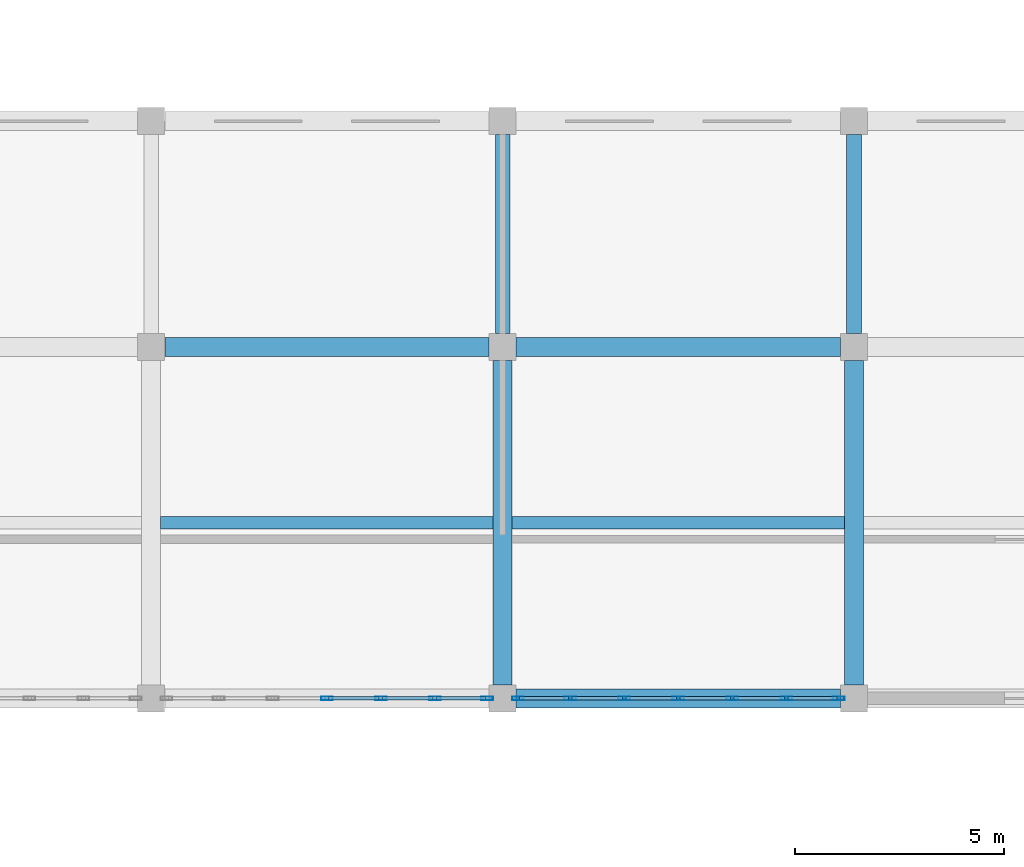
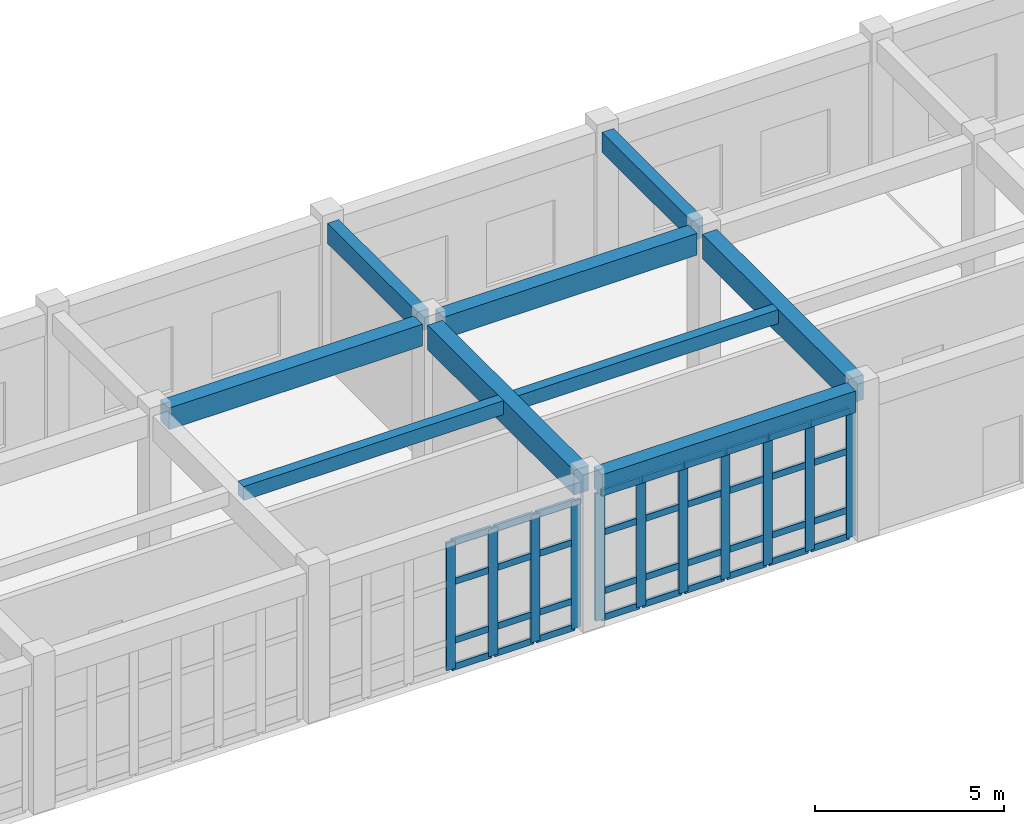
# One storey, part 39 of 80: 47 members, 9 beams, 2 elements without a shape of their own.
"""IFC4 building model written with IfcOpenShell, lengths in metres."""

from ifc_helpers import new_model, si_unit, direction, frame, origin, origin_2d, place, context, subcontext, project, spatial, rectangle, hollow_rectangle, extrude, material, layer, layer_set, material_profile, profile_set, type_object, element, aggregate, save


model = new_model("IFC4")

# Units and contexts
model_context = context("Model", 3, precision=1e-05, world=origin(), true_north=direction((0.0, 1.0)))
body_context = subcontext(model_context, "Body", "Model", "MODEL_VIEW")
ifc_project = project(units=[si_unit("LENGTHUNIT", "METRE"), si_unit("AREAUNIT", "SQUARE_METRE"), si_unit("VOLUMEUNIT", "CUBIC_METRE"), si_unit("PLANEANGLEUNIT", "RADIAN"), si_unit("MASSUNIT", "GRAM", prefix="KILO")], contexts=[model_context])

# Site, building, storey
site_placement = place(None, origin())
site = spatial("IfcSite", under=ifc_project, at=site_placement, CompositionType="ELEMENT")
building_placement = place(site_placement, origin())
building = spatial("IfcBuilding", under=site, at=building_placement, Name="Krzemoval Escarpment Law Courts", CompositionType="ELEMENT")
storey_placement = place(building_placement, origin())
storey = spatial("IfcBuildingStorey", under=building, at=storey_placement, Name="L00", CompositionType="ELEMENT", Elevation=0.0)

# Beams
ifc_material_1 = material(Name="Concrete C40/50", Category="concrete")
ifc_material_profile_1 = material_profile(ifc_material_1, rectangle(XDim=0.35009765625, YDim=0.64990234375, at=origin_2d()), Name="RCB 350x650")
ifc_profile_set_1 = profile_set([ifc_material_profile_1], Name="Concrete C40/50")
beam_type_1 = type_object("IfcBeamType", Name="BM-RC-350x650", PredefinedType="BEAM", material=ifc_profile_set_1)
for number, where, z_axis, x_axis, name in (
    (1, (100.800048828125, 108.324951171875, 4.4951171875), (0.0, 1.0, 0.0), (-1.0, 0.0, 0.0), "Beam FG-L00-0935"),
    (2, (109.199951171875, 108.324951171875, 4.4951171875), (0.0, 1.0, 0.0), (-1.0, 0.0, 0.0), "Beam FG-L00-0942"),
):
    element("IfcBeam", number, at=place(storey_placement, frame(where, z_axis=z_axis, x_axis=x_axis)), inside=storey, type_object=beam_type_1, Name=name, PredefinedType="BEAM", context=body_context, shape_type="SweptSolid", body=[
        extrude(rectangle(XDim=0.35009765625, YDim=0.64990234375, at=origin_2d()), origin(), (0.0, 0.0, 1.0), 4.75),
    ])
ifc_material_2 = material(Name="Concrete C40/50", Category="concrete")
ifc_material_profile_2 = material_profile(ifc_material_2, rectangle(XDim=0.449951171875, YDim=0.699951171875, at=origin_2d()), Name="RCB 450x700")
ifc_profile_set_2 = profile_set([ifc_material_profile_2], Name="Concrete C40/50")
beam_type_2 = type_object("IfcBeamType", Name="BM-RC-450x700", PredefinedType="BEAM", material=ifc_profile_set_2)
for number, where, z_axis, x_axis, name in (
    (3, (101.125, 99.60009765625, 4.469970703125), (1.0, 0.0, 0.0), (0.0, 1.0, 0.0), "Beam FG-L00-0753"),
    (4, (92.72509765625, 108.0, 4.469970703125), (1.0, 0.0, 0.0), (0.0, 1.0, 0.0), "Beam FG-L00-0771"),
    (5, (101.125, 108.0, 4.469970703125), (1.0, 0.0, 0.0), (0.0, 1.0, 0.0), "Beam FG-L00-0772"),
):
    element("IfcBeam", number, at=place(storey_placement, frame(where, z_axis=z_axis, x_axis=x_axis)), inside=storey, type_object=beam_type_2, Name=name, PredefinedType="BEAM", context=body_context, shape_type="SweptSolid", body=[
        extrude(rectangle(XDim=0.449951171875, YDim=0.699951171875, at=origin_2d()), origin(), (0.0, 0.0, 1.0), 7.75),
    ])
ifc_material_3 = material(Name="Concrete C40/50", Category="concrete")
ifc_material_profile_3 = material_profile(ifc_material_3, rectangle(XDim=0.449951171875, YDim=0.800048828125, at=origin_2d()), Name="RCB 450x800")
ifc_profile_set_3 = profile_set([ifc_material_profile_3], Name="Concrete C40/50")
beam_type_3 = type_object("IfcBeamType", Name="BM-RC-450x800", PredefinedType="BEAM", material=ifc_profile_set_3)
for number, where, z_axis, x_axis, name in (
    (6, (100.800048828125, 99.925048828125, 4.419921875), (0.0, 1.0, 0.0), (-1.0, 0.0, 0.0), "Beam FG-L00-0934"),
    (7, (109.199951171875, 99.925048828125, 4.419921875), (0.0, 1.0, 0.0), (-1.0, 0.0, 0.0), "Beam FG-L00-0941"),
):
    element("IfcBeam", number, at=place(storey_placement, frame(where, z_axis=z_axis, x_axis=x_axis)), inside=storey, type_object=beam_type_3, Name=name, PredefinedType="BEAM", context=body_context, shape_type="SweptSolid", body=[
        extrude(rectangle(XDim=0.449951171875, YDim=0.800048828125, at=origin_2d()), origin(), (0.0, 0.0, 1.0), 7.75),
    ])

# Curtain wall, members
ifc_material_4 = material(Name="Aluminium 6063-T6", Category="aluminium")
ifc_layer = layer(ifc_material_4, 0.280029296875)
ifc_layer_set = layer_set([ifc_layer], Name="Aluminium 6063-T6")
curtain_wall_type = type_object("IfcCurtainWallType", Name="CW-HALL-5100", PredefinedType="USERDEFINED", material=ifc_layer_set)
curtain_wall_1_placement = place(storey_placement, origin())
curtain_wall_1 = element("IfcCurtainWall", 8, at=curtain_wall_1_placement, inside=storey, type_object=curtain_wall_type, Name="Unitised Curtain Wall FCW-L00-007", ObjectType="UNITISED_CURTAIN_WALL", PredefinedType="USERDEFINED")
ifc_material_5 = material(Name="Aluminium 6063-T6", Category="aluminium")
ifc_material_profile_4 = material_profile(ifc_material_5, hollow_rectangle(XDim=0.0849609375, YDim=0.280029296875, WallThickness=0.005615234375, at=origin_2d()), Name="ALU M85x280")
ifc_profile_set_4 = profile_set([ifc_material_profile_4], Name="Aluminium 6063-T6")
member_type_1 = type_object("IfcMemberType", Name="CWM-85x280", PredefinedType="MULLION", material=ifc_profile_set_4)
member_1_placement = place(storey_placement, frame((108.83251953125, 99.60009765625, 0.0), z_axis=(0.0, 0.0, 1.0), x_axis=(0.0, -1.0, 0.0)))
member_1 = element("IfcMember", 9, at=member_1_placement, type_object=member_type_1, Name="FCW-L00-007 mullion 1", PredefinedType="MULLION", context=body_context, shape_type="SweptSolid", body=[
    extrude(hollow_rectangle(XDim=0.0849609375, YDim=0.280029296875, WallThickness=0.005615234375, at=origin_2d()), origin(), (0.0, 0.0, 1.0), 4.1201171875),
])
member_2_placement = place(storey_placement, frame((107.583251953125, 99.60009765625, 0.0), z_axis=(0.0, 0.0, 1.0), x_axis=(0.0, -1.0, 0.0)))
member_2 = element("IfcMember", 10, at=member_2_placement, type_object=member_type_1, Name="FCW-L00-007 mullion 2", PredefinedType="MULLION", context=body_context, shape_type="SweptSolid", body=[
    extrude(hollow_rectangle(XDim=0.0849609375, YDim=0.280029296875, WallThickness=0.005615234375, at=origin_2d()), origin(), (0.0, 0.0, 1.0), 4.1201171875),
])
member_3_placement = place(storey_placement, frame((106.291748046875, 99.60009765625, 0.0), z_axis=(0.0, 0.0, 1.0), x_axis=(0.0, -1.0, 0.0)))
member_3 = element("IfcMember", 11, at=member_3_placement, type_object=member_type_1, Name="FCW-L00-007 mullion 3", PredefinedType="MULLION", context=body_context, shape_type="SweptSolid", body=[
    extrude(hollow_rectangle(XDim=0.0849609375, YDim=0.280029296875, WallThickness=0.005615234375, at=origin_2d()), origin(), (0.0, 0.0, 1.0), 4.1201171875),
])
member_4_placement = place(storey_placement, frame((105.0, 99.60009765625, 0.0), z_axis=(0.0, 0.0, 1.0), x_axis=(0.0, -1.0, 0.0)))
member_4 = element("IfcMember", 12, at=member_4_placement, type_object=member_type_1, Name="FCW-L00-007 mullion 4", PredefinedType="MULLION", context=body_context, shape_type="SweptSolid", body=[
    extrude(hollow_rectangle(XDim=0.0849609375, YDim=0.280029296875, WallThickness=0.005615234375, at=origin_2d()), origin(), (0.0, 0.0, 1.0), 4.1201171875),
])
member_5_placement = place(storey_placement, frame((103.708251953125, 99.60009765625, 0.0), z_axis=(0.0, 0.0, 1.0), x_axis=(0.0, -1.0, 0.0)))
member_5 = element("IfcMember", 13, at=member_5_placement, type_object=member_type_1, Name="FCW-L00-007 mullion 5", PredefinedType="MULLION", context=body_context, shape_type="SweptSolid", body=[
    extrude(hollow_rectangle(XDim=0.0849609375, YDim=0.280029296875, WallThickness=0.005615234375, at=origin_2d()), origin(), (0.0, 0.0, 1.0), 4.1201171875),
])
member_6_placement = place(storey_placement, frame((102.416748046875, 99.60009765625, 0.0), z_axis=(0.0, 0.0, 1.0), x_axis=(0.0, -1.0, 0.0)))
member_6 = element("IfcMember", 14, at=member_6_placement, type_object=member_type_1, Name="FCW-L00-007 mullion 6", PredefinedType="MULLION", context=body_context, shape_type="SweptSolid", body=[
    extrude(hollow_rectangle(XDim=0.0849609375, YDim=0.280029296875, WallThickness=0.005615234375, at=origin_2d()), origin(), (0.0, 0.0, 1.0), 4.1201171875),
])
member_7_placement = place(storey_placement, frame((101.16748046875, 99.60009765625, 0.0), z_axis=(0.0, 0.0, 1.0), x_axis=(0.0, -1.0, 0.0)))
member_7 = element("IfcMember", 15, at=member_7_placement, type_object=member_type_1, Name="FCW-L00-007 mullion 7", PredefinedType="MULLION", context=body_context, shape_type="SweptSolid", body=[
    extrude(hollow_rectangle(XDim=0.0849609375, YDim=0.280029296875, WallThickness=0.005615234375, at=origin_2d()), origin(), (0.0, 0.0, 1.0), 4.1201171875),
])

curtain_wall_2_placement = place(storey_placement, origin())
curtain_wall_2 = element("IfcCurtainWall", 16, at=curtain_wall_2_placement, inside=storey, type_object=curtain_wall_type, Name="Unitised Curtain Wall FCW-L00-008", ObjectType="UNITISED_CURTAIN_WALL", PredefinedType="USERDEFINED")
member_8_placement = place(storey_placement, frame((100.4326171875, 99.60009765625, 0.0), z_axis=(0.0, 0.0, 1.0), x_axis=(0.0, -1.0, 0.0)))
member_8 = element("IfcMember", 17, at=member_8_placement, type_object=member_type_1, Name="FCW-L00-008 mullion 1", PredefinedType="MULLION", context=body_context, shape_type="SweptSolid", body=[
    extrude(hollow_rectangle(XDim=0.0849609375, YDim=0.280029296875, WallThickness=0.005615234375, at=origin_2d()), origin(), (0.0, 0.0, 1.0), 4.1201171875),
])
member_9_placement = place(storey_placement, frame((99.183349609375, 99.60009765625, 0.0), z_axis=(0.0, 0.0, 1.0), x_axis=(0.0, -1.0, 0.0)))
member_9 = element("IfcMember", 18, at=member_9_placement, type_object=member_type_1, Name="FCW-L00-008 mullion 2", PredefinedType="MULLION", context=body_context, shape_type="SweptSolid", body=[
    extrude(hollow_rectangle(XDim=0.0849609375, YDim=0.280029296875, WallThickness=0.005615234375, at=origin_2d()), origin(), (0.0, 0.0, 1.0), 4.1201171875),
])
member_10_placement = place(storey_placement, frame((97.8916015625, 99.60009765625, 0.0), z_axis=(0.0, 0.0, 1.0), x_axis=(0.0, -1.0, 0.0)))
member_10 = element("IfcMember", 19, at=member_10_placement, type_object=member_type_1, Name="FCW-L00-008 mullion 3", PredefinedType="MULLION", context=body_context, shape_type="SweptSolid", body=[
    extrude(hollow_rectangle(XDim=0.0849609375, YDim=0.280029296875, WallThickness=0.005615234375, at=origin_2d()), origin(), (0.0, 0.0, 1.0), 4.1201171875),
])
member_11_placement = place(storey_placement, frame((96.60009765625, 99.60009765625, 0.0), z_axis=(0.0, 0.0, 1.0), x_axis=(0.0, -1.0, 0.0)))
member_11 = element("IfcMember", 20, at=member_11_placement, type_object=member_type_1, Name="FCW-L00-008 mullion 4", PredefinedType="MULLION", context=body_context, shape_type="SweptSolid", body=[
    extrude(hollow_rectangle(XDim=0.0849609375, YDim=0.280029296875, WallThickness=0.005615234375, at=origin_2d()), origin(), (0.0, 0.0, 1.0), 4.1201171875),
])

# Member
ifc_material_6 = material(Name="Aluminium 6063-T6", Category="aluminium")
ifc_material_profile_5 = material_profile(ifc_material_6, hollow_rectangle(XDim=0.0849609375, YDim=0.2099609375, WallThickness=0.005615234375, at=origin_2d()), Name="ALU T85x210")
ifc_profile_set_5 = profile_set([ifc_material_profile_5], Name="Aluminium 6063-T6")
member_type_2 = type_object("IfcMemberType", Name="CWT-85x210", PredefinedType="USERDEFINED", material=ifc_profile_set_5)
member_12_placement = place(storey_placement, frame((108.7900390625, 99.60009765625, 0.04248046875), z_axis=(-1.0, 0.0, 0.0), x_axis=(0.0, -1.0, 0.0)))
member_12 = element("IfcMember", 21, at=member_12_placement, type_object=member_type_2, Name="FCW-L00-007 transom 1.1", ObjectType="TRANSOM", PredefinedType="USERDEFINED", context=body_context, shape_type="SweptSolid", body=[
    extrude(hollow_rectangle(XDim=0.0849609375, YDim=0.2099609375, WallThickness=0.005615234375, at=origin_2d()), origin(), (0.0, 0.0, 1.0), 1.164306640625),
])

member_13_placement = place(storey_placement, frame((108.7900390625, 99.60009765625, 0.89990234375), z_axis=(-1.0, 0.0, 0.0), x_axis=(0.0, -1.0, 0.0)))
member_13 = element("IfcMember", 22, at=member_13_placement, type_object=member_type_2, Name="FCW-L00-007 transom 1.2", ObjectType="TRANSOM", PredefinedType="USERDEFINED", context=body_context, shape_type="SweptSolid", body=[
    extrude(hollow_rectangle(XDim=0.0849609375, YDim=0.2099609375, WallThickness=0.005615234375, at=origin_2d()), origin(), (0.0, 0.0, 1.0), 1.164306640625),
])

member_14_placement = place(storey_placement, frame((108.7900390625, 99.60009765625, 2.800048828125), z_axis=(-1.0, 0.0, 0.0), x_axis=(0.0, -1.0, 0.0)))
member_14 = element("IfcMember", 23, at=member_14_placement, type_object=member_type_2, Name="FCW-L00-007 transom 1.3", ObjectType="TRANSOM", PredefinedType="USERDEFINED", context=body_context, shape_type="SweptSolid", body=[
    extrude(hollow_rectangle(XDim=0.0849609375, YDim=0.2099609375, WallThickness=0.005615234375, at=origin_2d()), origin(), (0.0, 0.0, 1.0), 1.164306640625),
])

member_15_placement = place(storey_placement, frame((108.7900390625, 99.60009765625, 4.077392578125), z_axis=(-1.0, 0.0, 0.0), x_axis=(0.0, -1.0, 0.0)))
member_15 = element("IfcMember", 24, at=member_15_placement, type_object=member_type_2, Name="FCW-L00-007 transom 1.4", ObjectType="TRANSOM", PredefinedType="USERDEFINED", context=body_context, shape_type="SweptSolid", body=[
    extrude(hollow_rectangle(XDim=0.0849609375, YDim=0.2099609375, WallThickness=0.005615234375, at=origin_2d()), origin(), (0.0, 0.0, 1.0), 1.164306640625),
])

member_16_placement = place(storey_placement, frame((107.540771484375, 99.60009765625, 0.04248046875), z_axis=(-1.0, 0.0, 0.0), x_axis=(0.0, -1.0, 0.0)))
member_16 = element("IfcMember", 25, at=member_16_placement, type_object=member_type_2, Name="FCW-L00-007 transom 2.1", ObjectType="TRANSOM", PredefinedType="USERDEFINED", context=body_context, shape_type="SweptSolid", body=[
    extrude(hollow_rectangle(XDim=0.0849609375, YDim=0.2099609375, WallThickness=0.005615234375, at=origin_2d()), origin(), (0.0, 0.0, 1.0), 1.20654296875),
])

member_17_placement = place(storey_placement, frame((107.540771484375, 99.60009765625, 0.89990234375), z_axis=(-1.0, 0.0, 0.0), x_axis=(0.0, -1.0, 0.0)))
member_17 = element("IfcMember", 26, at=member_17_placement, type_object=member_type_2, Name="FCW-L00-007 transom 2.2", ObjectType="TRANSOM", PredefinedType="USERDEFINED", context=body_context, shape_type="SweptSolid", body=[
    extrude(hollow_rectangle(XDim=0.0849609375, YDim=0.2099609375, WallThickness=0.005615234375, at=origin_2d()), origin(), (0.0, 0.0, 1.0), 1.20654296875),
])

member_18_placement = place(storey_placement, frame((107.540771484375, 99.60009765625, 2.800048828125), z_axis=(-1.0, 0.0, 0.0), x_axis=(0.0, -1.0, 0.0)))
member_18 = element("IfcMember", 27, at=member_18_placement, type_object=member_type_2, Name="FCW-L00-007 transom 2.3", ObjectType="TRANSOM", PredefinedType="USERDEFINED", context=body_context, shape_type="SweptSolid", body=[
    extrude(hollow_rectangle(XDim=0.0849609375, YDim=0.2099609375, WallThickness=0.005615234375, at=origin_2d()), origin(), (0.0, 0.0, 1.0), 1.20654296875),
])

member_19_placement = place(storey_placement, frame((107.540771484375, 99.60009765625, 4.077392578125), z_axis=(-1.0, 0.0, 0.0), x_axis=(0.0, -1.0, 0.0)))
member_19 = element("IfcMember", 28, at=member_19_placement, type_object=member_type_2, Name="FCW-L00-007 transom 2.4", ObjectType="TRANSOM", PredefinedType="USERDEFINED", context=body_context, shape_type="SweptSolid", body=[
    extrude(hollow_rectangle(XDim=0.0849609375, YDim=0.2099609375, WallThickness=0.005615234375, at=origin_2d()), origin(), (0.0, 0.0, 1.0), 1.20654296875),
])

member_20_placement = place(storey_placement, frame((106.249267578125, 99.60009765625, 0.04248046875), z_axis=(-1.0, 0.0, 0.0), x_axis=(0.0, -1.0, 0.0)))
member_20 = element("IfcMember", 29, at=member_20_placement, type_object=member_type_2, Name="FCW-L00-007 transom 3.1", ObjectType="TRANSOM", PredefinedType="USERDEFINED", context=body_context, shape_type="SweptSolid", body=[
    extrude(hollow_rectangle(XDim=0.0849609375, YDim=0.2099609375, WallThickness=0.005615234375, at=origin_2d()), origin(), (0.0, 0.0, 1.0), 1.206787109375),
])

member_21_placement = place(storey_placement, frame((106.249267578125, 99.60009765625, 0.89990234375), z_axis=(-1.0, 0.0, 0.0), x_axis=(0.0, -1.0, 0.0)))
member_21 = element("IfcMember", 30, at=member_21_placement, type_object=member_type_2, Name="FCW-L00-007 transom 3.2", ObjectType="TRANSOM", PredefinedType="USERDEFINED", context=body_context, shape_type="SweptSolid", body=[
    extrude(hollow_rectangle(XDim=0.0849609375, YDim=0.2099609375, WallThickness=0.005615234375, at=origin_2d()), origin(), (0.0, 0.0, 1.0), 1.206787109375),
])

member_22_placement = place(storey_placement, frame((106.249267578125, 99.60009765625, 2.800048828125), z_axis=(-1.0, 0.0, 0.0), x_axis=(0.0, -1.0, 0.0)))
member_22 = element("IfcMember", 31, at=member_22_placement, type_object=member_type_2, Name="FCW-L00-007 transom 3.3", ObjectType="TRANSOM", PredefinedType="USERDEFINED", context=body_context, shape_type="SweptSolid", body=[
    extrude(hollow_rectangle(XDim=0.0849609375, YDim=0.2099609375, WallThickness=0.005615234375, at=origin_2d()), origin(), (0.0, 0.0, 1.0), 1.206787109375),
])

member_23_placement = place(storey_placement, frame((106.249267578125, 99.60009765625, 4.077392578125), z_axis=(-1.0, 0.0, 0.0), x_axis=(0.0, -1.0, 0.0)))
member_23 = element("IfcMember", 32, at=member_23_placement, type_object=member_type_2, Name="FCW-L00-007 transom 3.4", ObjectType="TRANSOM", PredefinedType="USERDEFINED", context=body_context, shape_type="SweptSolid", body=[
    extrude(hollow_rectangle(XDim=0.0849609375, YDim=0.2099609375, WallThickness=0.005615234375, at=origin_2d()), origin(), (0.0, 0.0, 1.0), 1.206787109375),
])

member_24_placement = place(storey_placement, frame((104.95751953125, 99.60009765625, 0.04248046875), z_axis=(-1.0, 0.0, 0.0), x_axis=(0.0, -1.0, 0.0)))
member_24 = element("IfcMember", 33, at=member_24_placement, type_object=member_type_2, Name="FCW-L00-007 transom 4.1", ObjectType="TRANSOM", PredefinedType="USERDEFINED", context=body_context, shape_type="SweptSolid", body=[
    extrude(hollow_rectangle(XDim=0.0849609375, YDim=0.2099609375, WallThickness=0.005615234375, at=origin_2d()), origin(), (0.0, 0.0, 1.0), 1.206787109375),
])

member_25_placement = place(storey_placement, frame((104.95751953125, 99.60009765625, 0.89990234375), z_axis=(-1.0, 0.0, 0.0), x_axis=(0.0, -1.0, 0.0)))
member_25 = element("IfcMember", 34, at=member_25_placement, type_object=member_type_2, Name="FCW-L00-007 transom 4.2", ObjectType="TRANSOM", PredefinedType="USERDEFINED", context=body_context, shape_type="SweptSolid", body=[
    extrude(hollow_rectangle(XDim=0.0849609375, YDim=0.2099609375, WallThickness=0.005615234375, at=origin_2d()), origin(), (0.0, 0.0, 1.0), 1.206787109375),
])

member_26_placement = place(storey_placement, frame((104.95751953125, 99.60009765625, 2.800048828125), z_axis=(-1.0, 0.0, 0.0), x_axis=(0.0, -1.0, 0.0)))
member_26 = element("IfcMember", 35, at=member_26_placement, type_object=member_type_2, Name="FCW-L00-007 transom 4.3", ObjectType="TRANSOM", PredefinedType="USERDEFINED", context=body_context, shape_type="SweptSolid", body=[
    extrude(hollow_rectangle(XDim=0.0849609375, YDim=0.2099609375, WallThickness=0.005615234375, at=origin_2d()), origin(), (0.0, 0.0, 1.0), 1.206787109375),
])

member_27_placement = place(storey_placement, frame((104.95751953125, 99.60009765625, 4.077392578125), z_axis=(-1.0, 0.0, 0.0), x_axis=(0.0, -1.0, 0.0)))
member_27 = element("IfcMember", 36, at=member_27_placement, type_object=member_type_2, Name="FCW-L00-007 transom 4.4", ObjectType="TRANSOM", PredefinedType="USERDEFINED", context=body_context, shape_type="SweptSolid", body=[
    extrude(hollow_rectangle(XDim=0.0849609375, YDim=0.2099609375, WallThickness=0.005615234375, at=origin_2d()), origin(), (0.0, 0.0, 1.0), 1.206787109375),
])

member_28_placement = place(storey_placement, frame((103.665771484375, 99.60009765625, 0.04248046875), z_axis=(-1.0, 0.0, 0.0), x_axis=(0.0, -1.0, 0.0)))
member_28 = element("IfcMember", 37, at=member_28_placement, type_object=member_type_2, Name="FCW-L00-007 transom 5.1", ObjectType="TRANSOM", PredefinedType="USERDEFINED", context=body_context, shape_type="SweptSolid", body=[
    extrude(hollow_rectangle(XDim=0.0849609375, YDim=0.2099609375, WallThickness=0.005615234375, at=origin_2d()), origin(), (0.0, 0.0, 1.0), 1.20654296875),
])

member_29_placement = place(storey_placement, frame((103.665771484375, 99.60009765625, 0.89990234375), z_axis=(-1.0, 0.0, 0.0), x_axis=(0.0, -1.0, 0.0)))
member_29 = element("IfcMember", 38, at=member_29_placement, type_object=member_type_2, Name="FCW-L00-007 transom 5.2", ObjectType="TRANSOM", PredefinedType="USERDEFINED", context=body_context, shape_type="SweptSolid", body=[
    extrude(hollow_rectangle(XDim=0.0849609375, YDim=0.2099609375, WallThickness=0.005615234375, at=origin_2d()), origin(), (0.0, 0.0, 1.0), 1.20654296875),
])

member_30_placement = place(storey_placement, frame((103.665771484375, 99.60009765625, 2.800048828125), z_axis=(-1.0, 0.0, 0.0), x_axis=(0.0, -1.0, 0.0)))
member_30 = element("IfcMember", 39, at=member_30_placement, type_object=member_type_2, Name="FCW-L00-007 transom 5.3", ObjectType="TRANSOM", PredefinedType="USERDEFINED", context=body_context, shape_type="SweptSolid", body=[
    extrude(hollow_rectangle(XDim=0.0849609375, YDim=0.2099609375, WallThickness=0.005615234375, at=origin_2d()), origin(), (0.0, 0.0, 1.0), 1.20654296875),
])

member_31_placement = place(storey_placement, frame((103.665771484375, 99.60009765625, 4.077392578125), z_axis=(-1.0, 0.0, 0.0), x_axis=(0.0, -1.0, 0.0)))
member_31 = element("IfcMember", 40, at=member_31_placement, type_object=member_type_2, Name="FCW-L00-007 transom 5.4", ObjectType="TRANSOM", PredefinedType="USERDEFINED", context=body_context, shape_type="SweptSolid", body=[
    extrude(hollow_rectangle(XDim=0.0849609375, YDim=0.2099609375, WallThickness=0.005615234375, at=origin_2d()), origin(), (0.0, 0.0, 1.0), 1.20654296875),
])

member_32_placement = place(storey_placement, frame((102.374267578125, 99.60009765625, 0.04248046875), z_axis=(-1.0, 0.0, 0.0), x_axis=(0.0, -1.0, 0.0)))
member_32 = element("IfcMember", 41, at=member_32_placement, type_object=member_type_2, Name="FCW-L00-007 transom 6.1", ObjectType="TRANSOM", PredefinedType="USERDEFINED", context=body_context, shape_type="SweptSolid", body=[
    extrude(hollow_rectangle(XDim=0.0849609375, YDim=0.2099609375, WallThickness=0.005615234375, at=origin_2d()), origin(), (0.0, 0.0, 1.0), 1.164306640625),
])

member_33_placement = place(storey_placement, frame((102.374267578125, 99.60009765625, 0.89990234375), z_axis=(-1.0, 0.0, 0.0), x_axis=(0.0, -1.0, 0.0)))
member_33 = element("IfcMember", 42, at=member_33_placement, type_object=member_type_2, Name="FCW-L00-007 transom 6.2", ObjectType="TRANSOM", PredefinedType="USERDEFINED", context=body_context, shape_type="SweptSolid", body=[
    extrude(hollow_rectangle(XDim=0.0849609375, YDim=0.2099609375, WallThickness=0.005615234375, at=origin_2d()), origin(), (0.0, 0.0, 1.0), 1.164306640625),
])

member_34_placement = place(storey_placement, frame((102.374267578125, 99.60009765625, 2.800048828125), z_axis=(-1.0, 0.0, 0.0), x_axis=(0.0, -1.0, 0.0)))
member_34 = element("IfcMember", 43, at=member_34_placement, type_object=member_type_2, Name="FCW-L00-007 transom 6.3", ObjectType="TRANSOM", PredefinedType="USERDEFINED", context=body_context, shape_type="SweptSolid", body=[
    extrude(hollow_rectangle(XDim=0.0849609375, YDim=0.2099609375, WallThickness=0.005615234375, at=origin_2d()), origin(), (0.0, 0.0, 1.0), 1.164306640625),
])

member_35_placement = place(storey_placement, frame((102.374267578125, 99.60009765625, 4.077392578125), z_axis=(-1.0, 0.0, 0.0), x_axis=(0.0, -1.0, 0.0)))
member_35 = element("IfcMember", 44, at=member_35_placement, type_object=member_type_2, Name="FCW-L00-007 transom 6.4", ObjectType="TRANSOM", PredefinedType="USERDEFINED", context=body_context, shape_type="SweptSolid", body=[
    extrude(hollow_rectangle(XDim=0.0849609375, YDim=0.2099609375, WallThickness=0.005615234375, at=origin_2d()), origin(), (0.0, 0.0, 1.0), 1.164306640625),
])

aggregate(curtain_wall_1, [member_1, member_2, member_3, member_4, member_5, member_6, member_7, member_12, member_13, member_14, member_15, member_16, member_17, member_18, member_19, member_20, member_21, member_22, member_23, member_24, member_25, member_26, member_27, member_28, member_29, member_30, member_31, member_32, member_33, member_34, member_35])

member_36_placement = place(storey_placement, frame((100.389892578125, 99.60009765625, 0.04248046875), z_axis=(-1.0, 0.0, 0.0), x_axis=(0.0, -1.0, 0.0)))
member_36 = element("IfcMember", 45, at=member_36_placement, type_object=member_type_2, Name="FCW-L00-008 transom 1.1", ObjectType="TRANSOM", PredefinedType="USERDEFINED", context=body_context, shape_type="SweptSolid", body=[
    extrude(hollow_rectangle(XDim=0.0849609375, YDim=0.2099609375, WallThickness=0.005615234375, at=origin_2d()), origin(), (0.0, 0.0, 1.0), 1.1640625),
])

member_37_placement = place(storey_placement, frame((100.389892578125, 99.60009765625, 0.89990234375), z_axis=(-1.0, 0.0, 0.0), x_axis=(0.0, -1.0, 0.0)))
member_37 = element("IfcMember", 46, at=member_37_placement, type_object=member_type_2, Name="FCW-L00-008 transom 1.2", ObjectType="TRANSOM", PredefinedType="USERDEFINED", context=body_context, shape_type="SweptSolid", body=[
    extrude(hollow_rectangle(XDim=0.0849609375, YDim=0.2099609375, WallThickness=0.005615234375, at=origin_2d()), origin(), (0.0, 0.0, 1.0), 1.1640625),
])

member_38_placement = place(storey_placement, frame((100.389892578125, 99.60009765625, 2.800048828125), z_axis=(-1.0, 0.0, 0.0), x_axis=(0.0, -1.0, 0.0)))
member_38 = element("IfcMember", 47, at=member_38_placement, type_object=member_type_2, Name="FCW-L00-008 transom 1.3", ObjectType="TRANSOM", PredefinedType="USERDEFINED", context=body_context, shape_type="SweptSolid", body=[
    extrude(hollow_rectangle(XDim=0.0849609375, YDim=0.2099609375, WallThickness=0.005615234375, at=origin_2d()), origin(), (0.0, 0.0, 1.0), 1.1640625),
])

member_39_placement = place(storey_placement, frame((100.389892578125, 99.60009765625, 4.077392578125), z_axis=(-1.0, 0.0, 0.0), x_axis=(0.0, -1.0, 0.0)))
member_39 = element("IfcMember", 48, at=member_39_placement, type_object=member_type_2, Name="FCW-L00-008 transom 1.4", ObjectType="TRANSOM", PredefinedType="USERDEFINED", context=body_context, shape_type="SweptSolid", body=[
    extrude(hollow_rectangle(XDim=0.0849609375, YDim=0.2099609375, WallThickness=0.005615234375, at=origin_2d()), origin(), (0.0, 0.0, 1.0), 1.1640625),
])

member_40_placement = place(storey_placement, frame((99.140869140625, 99.60009765625, 0.04248046875), z_axis=(-1.0, 0.0, 0.0), x_axis=(0.0, -1.0, 0.0)))
member_40 = element("IfcMember", 49, at=member_40_placement, type_object=member_type_2, Name="FCW-L00-008 transom 2.1", ObjectType="TRANSOM", PredefinedType="USERDEFINED", context=body_context, shape_type="SweptSolid", body=[
    extrude(hollow_rectangle(XDim=0.0849609375, YDim=0.2099609375, WallThickness=0.005615234375, at=origin_2d()), origin(), (0.0, 0.0, 1.0), 1.206787109375),
])

member_41_placement = place(storey_placement, frame((99.140869140625, 99.60009765625, 0.89990234375), z_axis=(-1.0, 0.0, 0.0), x_axis=(0.0, -1.0, 0.0)))
member_41 = element("IfcMember", 50, at=member_41_placement, type_object=member_type_2, Name="FCW-L00-008 transom 2.2", ObjectType="TRANSOM", PredefinedType="USERDEFINED", context=body_context, shape_type="SweptSolid", body=[
    extrude(hollow_rectangle(XDim=0.0849609375, YDim=0.2099609375, WallThickness=0.005615234375, at=origin_2d()), origin(), (0.0, 0.0, 1.0), 1.206787109375),
])

member_42_placement = place(storey_placement, frame((99.140869140625, 99.60009765625, 2.800048828125), z_axis=(-1.0, 0.0, 0.0), x_axis=(0.0, -1.0, 0.0)))
member_42 = element("IfcMember", 51, at=member_42_placement, type_object=member_type_2, Name="FCW-L00-008 transom 2.3", ObjectType="TRANSOM", PredefinedType="USERDEFINED", context=body_context, shape_type="SweptSolid", body=[
    extrude(hollow_rectangle(XDim=0.0849609375, YDim=0.2099609375, WallThickness=0.005615234375, at=origin_2d()), origin(), (0.0, 0.0, 1.0), 1.206787109375),
])

member_43_placement = place(storey_placement, frame((99.140869140625, 99.60009765625, 4.077392578125), z_axis=(-1.0, 0.0, 0.0), x_axis=(0.0, -1.0, 0.0)))
member_43 = element("IfcMember", 52, at=member_43_placement, type_object=member_type_2, Name="FCW-L00-008 transom 2.4", ObjectType="TRANSOM", PredefinedType="USERDEFINED", context=body_context, shape_type="SweptSolid", body=[
    extrude(hollow_rectangle(XDim=0.0849609375, YDim=0.2099609375, WallThickness=0.005615234375, at=origin_2d()), origin(), (0.0, 0.0, 1.0), 1.206787109375),
])

member_44_placement = place(storey_placement, frame((97.84912109375, 99.60009765625, 0.04248046875), z_axis=(-1.0, 0.0, 0.0), x_axis=(0.0, -1.0, 0.0)))
member_44 = element("IfcMember", 53, at=member_44_placement, type_object=member_type_2, Name="FCW-L00-008 transom 3.1", ObjectType="TRANSOM", PredefinedType="USERDEFINED", context=body_context, shape_type="SweptSolid", body=[
    extrude(hollow_rectangle(XDim=0.0849609375, YDim=0.2099609375, WallThickness=0.005615234375, at=origin_2d()), origin(), (0.0, 0.0, 1.0), 1.20654296875),
])

member_45_placement = place(storey_placement, frame((97.84912109375, 99.60009765625, 0.89990234375), z_axis=(-1.0, 0.0, 0.0), x_axis=(0.0, -1.0, 0.0)))
member_45 = element("IfcMember", 54, at=member_45_placement, type_object=member_type_2, Name="FCW-L00-008 transom 3.2", ObjectType="TRANSOM", PredefinedType="USERDEFINED", context=body_context, shape_type="SweptSolid", body=[
    extrude(hollow_rectangle(XDim=0.0849609375, YDim=0.2099609375, WallThickness=0.005615234375, at=origin_2d()), origin(), (0.0, 0.0, 1.0), 1.20654296875),
])

member_46_placement = place(storey_placement, frame((97.84912109375, 99.60009765625, 2.800048828125), z_axis=(-1.0, 0.0, 0.0), x_axis=(0.0, -1.0, 0.0)))
member_46 = element("IfcMember", 55, at=member_46_placement, type_object=member_type_2, Name="FCW-L00-008 transom 3.3", ObjectType="TRANSOM", PredefinedType="USERDEFINED", context=body_context, shape_type="SweptSolid", body=[
    extrude(hollow_rectangle(XDim=0.0849609375, YDim=0.2099609375, WallThickness=0.005615234375, at=origin_2d()), origin(), (0.0, 0.0, 1.0), 1.20654296875),
])

member_47_placement = place(storey_placement, frame((97.84912109375, 99.60009765625, 4.077392578125), z_axis=(-1.0, 0.0, 0.0), x_axis=(0.0, -1.0, 0.0)))
member_47 = element("IfcMember", 56, at=member_47_placement, type_object=member_type_2, Name="FCW-L00-008 transom 3.4", ObjectType="TRANSOM", PredefinedType="USERDEFINED", context=body_context, shape_type="SweptSolid", body=[
    extrude(hollow_rectangle(XDim=0.0849609375, YDim=0.2099609375, WallThickness=0.005615234375, at=origin_2d()), origin(), (0.0, 0.0, 1.0), 1.20654296875),
])

aggregate(curtain_wall_2, [member_8, member_9, member_10, member_11, member_36, member_37, member_38, member_39, member_40, member_41, member_42, member_43, member_44, member_45, member_46, member_47])

# Beams
ifc_material_7 = material(Name="Concrete C40/50", Category="concrete")
ifc_material_profile_6 = material_profile(ifc_material_7, rectangle(XDim=0.300048828125, YDim=0.449951171875, at=origin_2d()), Name="RCB 300x450")
ifc_profile_set_6 = profile_set([ifc_material_profile_6], Name="Concrete C40/50")
beam_type_4 = type_object("IfcBeamType", Name="JST-RC-300x450", PredefinedType="JOIST", material=ifc_profile_set_6)
beam_1_placement = place(storey_placement, frame((92.625, 103.800048828125, 4.594970703125), z_axis=(1.0, 0.0, 0.0), x_axis=(0.0, 1.0, 0.0)))
element("IfcBeam", 57, at=beam_1_placement, inside=storey, type_object=beam_type_4, Name="Secondary Joist FJ-L00-1107", PredefinedType="JOIST", context=body_context, shape_type="SweptSolid", body=[
    extrude(rectangle(XDim=0.300048828125, YDim=0.449951171875, at=origin_2d()), origin(), (0.0, 0.0, 1.0), 7.949951171875),
])
beam_2_placement = place(storey_placement, frame((101.02490234375, 103.800048828125, 4.594970703125), z_axis=(1.0, 0.0, 0.0), x_axis=(0.0, 1.0, 0.0)))
element("IfcBeam", 58, at=beam_2_placement, inside=storey, type_object=beam_type_4, Name="Secondary Joist FJ-L00-1112", PredefinedType="JOIST", context=body_context, shape_type="SweptSolid", body=[
    extrude(rectangle(XDim=0.300048828125, YDim=0.449951171875, at=origin_2d()), origin(), (0.0, 0.0, 1.0), 7.9501953125),
])

save(model, "model.ifc")
